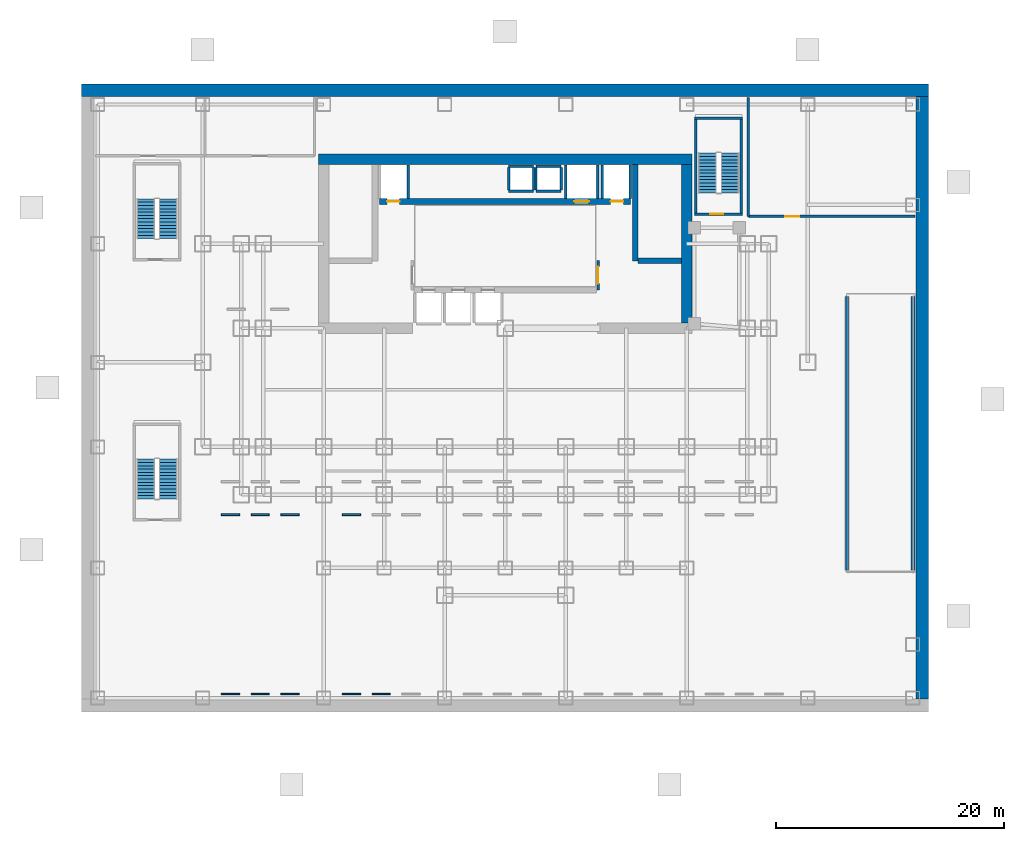
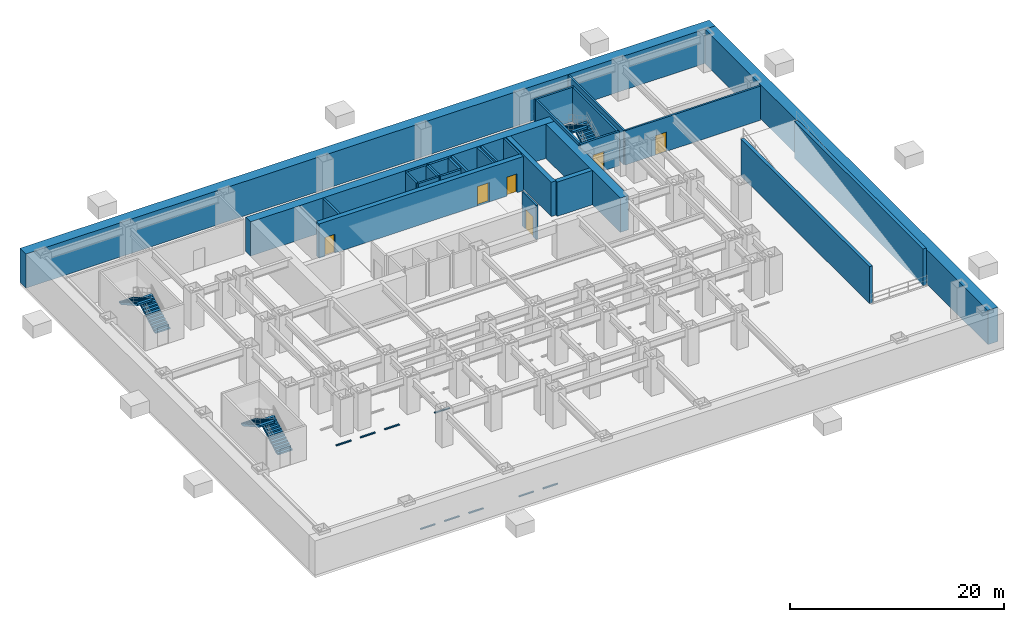
# One storey, part 4 of 7: 29 walls, 9 discrete accessories, 6 doors, 6 stair flights, 6 openings, 3 elements without a shape of their own.
"""IFC4 building model written with IfcOpenShell, lengths in metres."""

from ifc_helpers import new_model, si_unit, direction, frame, frame_2d, origin, origin_2d, place, context, subcontext, project, spatial, polyline, rectangle, outline, extrude, source, transform, mapped, material, layer, layer_set, type_object, element, fill, aggregate, save


model = new_model("IFC4")

# Units and contexts
model_context = context("Model", 3, precision=1e-05, world=origin(), true_north=direction((0.0, 1.0)))
body_context = subcontext(model_context, "Body", "Model", "MODEL_VIEW")
ifc_project = project(units=[si_unit("LENGTHUNIT", "METRE"), si_unit("AREAUNIT", "SQUARE_METRE"), si_unit("VOLUMEUNIT", "CUBIC_METRE"), si_unit("PLANEANGLEUNIT", "RADIAN"), si_unit("MASSUNIT", "GRAM", prefix="KILO")], contexts=[model_context])

# Site, building, storey
site_placement = place(None, origin())
site = spatial("IfcSite", under=ifc_project, at=site_placement, CompositionType="ELEMENT")
building_placement = place(site_placement, origin())
building = spatial("IfcBuilding", under=site, at=building_placement, Name="Qianlan Lanfeng Residences", CompositionType="ELEMENT")
storey_placement = place(building_placement, frame((0.0, 0.0, -4.199951171875)))
storey = spatial("IfcBuildingStorey", under=building, at=storey_placement, Name="B1", CompositionType="ELEMENT", Elevation=-4.199951171875)

# Walls
ifc_material_1 = material(Name="Concrete C49", Category="concrete")
ifc_layer_1 = layer(ifc_material_1, 0.35009765625)
ifc_layer_set_1 = layer_set([ifc_layer_1], Name="Concrete C49")
wall_type_1 = type_object("IfcWallType", Name="CW-RC-350", PredefinedType="SHEAR", material=ifc_layer_set_1)
for number, where, z_axis, x_axis, name in (
    (1, (56.449951171875, 4.0, 0.0), (0.0, 0.0, 1.0), (0.0, 1.0, 0.0), "B1 Vehicle Ramp Structural Bearing Wall W"),
    (2, (62.219970703125, 4.0, 0.0), (0.0, 0.0, 1.0), (0.0, 1.0, 0.0), "B1 Vehicle Ramp Structural Bearing Wall E"),
):
    element("IfcWall", number, at=place(storey_placement, frame(where, z_axis=z_axis, x_axis=x_axis)), inside=storey, type_object=wall_type_1, Name=name, PredefinedType="SHEAR", context=body_context, shape_type="SweptSolid", body=[
        extrude(rectangle(XDim=24.0, YDim=0.35009765625, at=frame_2d((12.0, 0.0))), origin(), (0.0, 0.0, 1.0), 4.199951171875),
    ])
ifc_material_2 = material(Name="Concrete C70", Category="concrete")
ifc_layer_2 = layer(ifc_material_2, 0.5)
ifc_layer_set_2 = layer_set([ifc_layer_2], Name="Concrete C70")
wall_type_2 = type_object("IfcWallType", Name="CW-RC-500", PredefinedType="SHEAR", material=ifc_layer_set_2)
wall_1_placement = place(storey_placement, frame((37.89990234375, 31.10009765625, 0.0), z_axis=(0.0, 0.0, 1.0), x_axis=(0.0, 1.0, 0.0)))
element("IfcWall", 3, at=wall_1_placement, inside=storey, type_object=wall_type_2, Name="B1 Core Shear Wall ST2W", PredefinedType="SHEAR", context=body_context, shape_type="SweptSolid", body=[
    extrude(rectangle(XDim=8.449951171875, YDim=0.5, at=frame_2d((4.22509765625, 0.0))), origin(), (0.0, 0.0, 1.0), 3.89990234375),
])
wall_2_placement = place(storey_placement, frame((38.14990234375, 31.10009765625, 0.0), z_axis=(0.0, 0.0, 1.0), x_axis=(1.0, 0.0, 0.0)))
element("IfcWall", 4, at=wall_2_placement, inside=storey, type_object=wall_type_2, Name="B1 Core Shear Wall ST2S", PredefinedType="SHEAR", context=body_context, shape_type="SweptSolid", body=[
    extrude(rectangle(XDim=3.800048828125, YDim=0.5, at=frame_2d((1.89990234375, 0.0))), origin(), (0.0, 0.0, 1.0), 3.89990234375),
])

# Wall, openings, doors
wall_3_placement = place(storey_placement, frame((15.5, 36.300048828125, 0.0), z_axis=(0.0, 0.0, 1.0), x_axis=(1.0, 0.0, 0.0)))
wall_3 = element("IfcWall", 5, at=wall_3_placement, inside=storey, type_object=wall_type_2, Name="B1 Core Shear Wall LBN", PredefinedType="SHEAR", context=body_context, shape_type="SweptSolid", body=[
    extrude(rectangle(XDim=22.0, YDim=0.5, at=frame_2d((11.0, 0.0))), origin(), (0.0, 0.0, 1.0), 3.89990234375),
])
opening_1_placement = place(wall_3_placement, frame((0.64990234375, 0.0, 0.0)))
opening_1 = element("IfcOpeningElement", 6, at=opening_1_placement, cuts=wall_3, Name="Opening B1-LD-FFL-1", PredefinedType="OPENING", context=body_context, shape_type="SweptSolid", body=[
    extrude(rectangle(XDim=1.10009765625, YDim=2.14990234375, at=frame_2d((0.550048828125, 1.074951171875))), frame((0.0, 0.260009765625, 0.0), z_axis=(0.0, -1.0, 0.0), x_axis=(1.0, 0.0, 0.0)), (0.0, 0.0, 1.0), 0.52001953125),
])
opening_2_placement = place(wall_3_placement, frame((20.25, 0.0, 0.0)))
opening_2 = element("IfcOpeningElement", 7, at=opening_2_placement, cuts=wall_3, Name="Opening B1-LD-FFL-2", PredefinedType="OPENING", context=body_context, shape_type="SweptSolid", body=[
    extrude(rectangle(XDim=1.10009765625, YDim=2.14990234375, at=frame_2d((0.550048828125, 1.074951171875))), frame((0.0, 0.260009765625, 0.0), z_axis=(0.0, -1.0, 0.0), x_axis=(1.0, 0.0, 0.0)), (0.0, 0.0, 1.0), 0.52001953125),
])
opening_3_placement = place(wall_3_placement, frame((17.050048828125, 0.0, 0.0)))
opening_3 = element("IfcOpeningElement", 8, at=opening_3_placement, cuts=wall_3, Name="Opening B1-LD-SVL-1", PredefinedType="OPENING", context=body_context, shape_type="SweptSolid", body=[
    extrude(rectangle(XDim=1.300048828125, YDim=2.199951171875, at=frame_2d((0.64990234375, 1.10009765625))), frame((0.0, 0.260009765625, 0.0), z_axis=(0.0, -1.0, 0.0), x_axis=(1.0, 0.0, 0.0)), (0.0, 0.0, 1.0), 0.52001953125),
])
ifc_material_3 = material(Name="Brushed Stainless Steel Sliding Lift Door", Category="steel")
door_type_1 = type_object("IfcDoorType", Name="LD-01", OperationType="NOTDEFINED", PredefinedType="DOOR", material=ifc_material_3)
door_1_placement = place(opening_1_placement, frame((1.10009765625, 0.0, 0.0), z_axis=(0.0, 0.0, 1.0), x_axis=(-1.0, 0.0, 0.0)))
door_1 = element("IfcDoor", 9, at=door_1_placement, inside=storey, type_object=door_type_1, Name="B1 Elevator FFL-1 Sliding Landing Door", OperationType="DOUBLE_DOOR_SLIDING", OverallHeight=2.14990234375, OverallWidth=1.10009765625, PredefinedType="DOOR", context=body_context, shape_type="SweptSolid", body=[
    extrude(rectangle(XDim=1.10009765625, YDim=2.14990234375, at=frame_2d((0.550048828125, 1.074951171875))), frame((0.0, 0.02490234375, 0.0), z_axis=(0.0, -1.0, 0.0), x_axis=(1.0, 0.0, 0.0)), (0.0, 0.0, 1.0), 0.050048828125),
])
fill(opening_1, door_1)
door_2_placement = place(opening_2_placement, frame((1.10009765625, 0.0, 0.0), z_axis=(0.0, 0.0, 1.0), x_axis=(-1.0, 0.0, 0.0)))
door_2 = element("IfcDoor", 10, at=door_2_placement, inside=storey, type_object=door_type_1, Name="B1 Elevator FFL-2 Sliding Landing Door", OperationType="DOUBLE_DOOR_SLIDING", OverallHeight=2.14990234375, OverallWidth=1.10009765625, PredefinedType="DOOR", context=body_context, shape_type="SweptSolid", body=[
    extrude(rectangle(XDim=1.10009765625, YDim=2.14990234375, at=frame_2d((0.550048828125, 1.074951171875))), frame((0.0, 0.02490234375, 0.0), z_axis=(0.0, -1.0, 0.0), x_axis=(1.0, 0.0, 0.0)), (0.0, 0.0, 1.0), 0.050048828125),
])
fill(opening_2, door_2)
door_type_2 = type_object("IfcDoorType", Name="LD-02", OperationType="NOTDEFINED", PredefinedType="DOOR", material=ifc_material_3)
door_3_placement = place(opening_3_placement, frame((1.300048828125, 0.0, 0.0), z_axis=(0.0, 0.0, 1.0), x_axis=(-1.0, 0.0, 0.0)))
door_3 = element("IfcDoor", 11, at=door_3_placement, inside=storey, type_object=door_type_2, Name="B1 Elevator SVL-1 Sliding Landing Door", OperationType="DOUBLE_DOOR_SLIDING", OverallHeight=2.199951171875, OverallWidth=1.300048828125, PredefinedType="DOOR", context=body_context, shape_type="SweptSolid", body=[
    extrude(rectangle(XDim=1.300048828125, YDim=2.199951171875, at=frame_2d((0.64990234375, 1.10009765625))), frame((0.0, 0.02490234375, 0.0), z_axis=(0.0, -1.0, 0.0), x_axis=(1.0, 0.0, 0.0)), (0.0, 0.0, 1.0), 0.050048828125),
])
fill(opening_3, door_3)

# Walls
ifc_layer_3 = layer(ifc_material_2, 0.89990234375)
ifc_layer_set_3 = layer_set([ifc_layer_3], Name="Concrete C70")
wall_type_3 = type_object("IfcWallType", Name="CW-RC-900", PredefinedType="SHEAR", material=ifc_layer_set_3)
wall_4_placement = place(storey_placement, frame((10.14990234375, 40.0, 0.0), z_axis=(0.0, 0.0, 1.0), x_axis=(1.0, 0.0, 0.0)))
element("IfcWall", 12, at=wall_4_placement, inside=storey, type_object=wall_type_3, Name="B1 Core Shear Wall N", PredefinedType="SHEAR", context=body_context, shape_type="SweptSolid", body=[
    extrude(rectangle(XDim=32.7001953125, YDim=0.89990234375, at=frame_2d((16.35009765625, 0.0))), origin(), (0.0, 0.0, 1.0), 3.89990234375),
])
wall_5_placement = place(storey_placement, frame((42.39990234375, 25.64990234375, 0.0), z_axis=(0.0, 0.0, 1.0), x_axis=(0.0, 1.0, 0.0)))
element("IfcWall", 13, at=wall_5_placement, inside=storey, type_object=wall_type_3, Name="B1 Core Shear Wall E", PredefinedType="SHEAR", context=body_context, shape_type="SweptSolid", body=[
    extrude(rectangle(XDim=13.900146484375, YDim=0.89990234375, at=frame_2d((6.9501953125, 0.0))), origin(), (0.0, 0.0, 1.0), 3.89990234375),
])
ifc_layer_4 = layer(ifc_material_1, 1.10009765625)
ifc_layer_set_4 = layer_set([ifc_layer_4], Name="Concrete C49")
wall_type_4 = type_object("IfcWallType", Name="DW-1100", PredefinedType="USERDEFINED", material=ifc_layer_set_4)
wall_6_placement = place(storey_placement, frame((63.050048828125, -7.300048828125, 0.0), z_axis=(0.0, 0.0, 1.0), x_axis=(0.0, 1.0, 0.0)))
element("IfcWall", 14, at=wall_6_placement, inside=storey, type_object=wall_type_4, Name="B1 Diaphragm Retaining Wall E", ObjectType="RETAININGWALL", PredefinedType="USERDEFINED", context=body_context, shape_type="SweptSolid", body=[
    extrude(rectangle(XDim=52.800048828125, YDim=1.10009765625, at=frame_2d((26.39990234375, 0.0))), origin(), (0.0, 0.0, 1.0), 3.89990234375),
])
wall_7_placement = place(storey_placement, frame((63.60009765625, 46.050048828125, 0.0), z_axis=(0.0, 0.0, 1.0), x_axis=(-1.0, 0.0, 0.0)))
element("IfcWall", 15, at=wall_7_placement, inside=storey, type_object=wall_type_4, Name="B1 Diaphragm Retaining Wall N", ObjectType="RETAININGWALL", PredefinedType="USERDEFINED", context=body_context, shape_type="SweptSolid", body=[
    extrude(rectangle(XDim=74.2001953125, YDim=1.10009765625, at=frame_2d((37.10009765625, 0.0))), origin(), (0.0, 0.0, 1.0), 3.89990234375),
])

# Wall, opening, door
ifc_material_4 = material(Name="Autoclaved Aerated Concrete Blockwork 200 mm", Category="masonry")
ifc_layer_5 = layer(ifc_material_4, 0.199951171875)
ifc_layer_set_5 = layer_set([ifc_layer_5], Name="Autoclaved Aerated Concrete Blockwork 200 mm")
wall_type_5 = type_object("IfcWallType", Name="PW-200", PredefinedType="PARTITIONING", material=ifc_layer_set_5)
wall_8_placement = place(storey_placement, frame((34.64990234375, 28.550048828125, 0.0), z_axis=(0.0, 0.0, 1.0), x_axis=(0.0, 1.0, 0.0)))
wall_8 = element("IfcWall", 16, at=wall_8_placement, inside=storey, type_object=wall_type_5, Name="B1 Lift Lobby East Connector Wall", PredefinedType="PARTITIONING", context=body_context, shape_type="SweptSolid", body=[
    extrude(rectangle(XDim=2.599853515625, YDim=0.199951171875, at=frame_2d((1.2998046875, 0.0))), origin(), (0.0, 0.0, 1.0), 3.89990234375),
])
opening_4_placement = place(wall_8_placement, frame((0.550048828125, 0.0, 0.0)))
opening_4 = element("IfcOpeningElement", 17, at=opening_4_placement, cuts=wall_8, Name="Opening B1-D05", PredefinedType="OPENING", context=body_context, shape_type="SweptSolid", body=[
    extrude(rectangle(XDim=1.5, YDim=2.25, at=frame_2d((0.75, 1.125))), frame((0.0, 0.10986328125, 0.0), z_axis=(0.0, -1.0, 0.0), x_axis=(1.0, 0.0, 0.0)), (0.0, 0.0, 1.0), 0.219970703125),
])
ifc_material_5 = material(Name="Timber Veneer Acoustic Fire Door", Category="wood")
door_type_3 = type_object("IfcDoorType", Name="DT-COR1", OperationType="NOTDEFINED", PredefinedType="DOOR", material=ifc_material_5)
door_4_placement = place(opening_4_placement, frame((1.5, 0.0, 0.0), z_axis=(0.0, 0.0, 1.0), x_axis=(-1.0, 0.0, 0.0)))
door_4 = element("IfcDoor", 18, at=door_4_placement, inside=storey, type_object=door_type_3, Name="B1 Lift Lobby East Portal Door B1-D05 (DT-COR1)", OperationType="DOUBLE_DOOR_SINGLE_SWING", OverallHeight=2.25, OverallWidth=1.5, PredefinedType="DOOR", context=body_context, shape_type="SweptSolid", body=[
    extrude(rectangle(XDim=1.5, YDim=2.25, at=frame_2d((0.75, 1.125))), frame((0.0, 0.02490234375, 0.0), z_axis=(0.0, -1.0, 0.0), x_axis=(1.0, 0.0, 0.0)), (0.0, 0.0, 1.0), 0.050048828125),
])
fill(opening_4, door_4)

# Wall
wall_9_placement = place(storey_placement, frame((47.800048828125, 35.0, 0.0), z_axis=(0.0, 0.0, 1.0), x_axis=(0.0, 1.0, 0.0)))
element("IfcWall", 19, at=wall_9_placement, inside=storey, type_object=wall_type_5, Name="B1 Storage West Wall", PredefinedType="PARTITIONING", context=body_context, shape_type="SweptSolid", body=[
    extrude(rectangle(XDim=10.39990234375, YDim=0.199951171875, at=frame_2d((5.199951171875, 0.0))), origin(), (0.0, 0.0, 1.0), 3.89990234375),
])

# Wall, opening, door
wall_10_placement = place(storey_placement, frame((47.800048828125, 35.0, 0.0), z_axis=(0.0, 0.0, 1.0), x_axis=(1.0, 0.0, 0.0)))
wall_10 = element("IfcWall", 20, at=wall_10_placement, inside=storey, type_object=wall_type_5, Name="B1 Storage South Wall", PredefinedType="PARTITIONING", context=body_context, shape_type="SweptSolid", body=[
    extrude(rectangle(XDim=14.599853515625, YDim=0.199951171875, at=frame_2d((7.2998046875, 0.0))), origin(), (0.0, 0.0, 1.0), 3.89990234375),
])
opening_5_placement = place(wall_10_placement, frame((3.25, 0.0, 0.0)))
opening_5 = element("IfcOpeningElement", 21, at=opening_5_placement, cuts=wall_10, Name="Opening B1-D08", PredefinedType="OPENING", context=body_context, shape_type="SweptSolid", body=[
    extrude(rectangle(XDim=1.199951171875, YDim=2.199951171875, at=frame_2d((0.60009765625, 1.10009765625))), frame((0.0, 0.10986328125, 0.0), z_axis=(0.0, -1.0, 0.0), x_axis=(1.0, 0.0, 0.0)), (0.0, 0.0, 1.0), 0.219970703125),
])
ifc_material_6 = material(Name="Painted Galvanised Steel Plant Door", Category="steel")
door_type_4 = type_object("IfcDoorType", Name="DT-PLT", OperationType="NOTDEFINED", PredefinedType="DOOR", material=ifc_material_6)
door_5_placement = place(opening_5_placement, origin())
door_5 = element("IfcDoor", 22, at=door_5_placement, inside=storey, type_object=door_type_4, Name="B1 Resident Storage Room Door B1-D08 (DT-PLT)", OperationType="SINGLE_SWING_RIGHT", OverallHeight=2.199951171875, OverallWidth=1.199951171875, PredefinedType="DOOR", context=body_context, shape_type="SweptSolid", body=[
    extrude(rectangle(XDim=1.199951171875, YDim=2.199951171875, at=frame_2d((0.60009765625, 1.10009765625))), frame((0.0, 0.02490234375, 0.0), z_axis=(0.0, -1.0, 0.0), x_axis=(1.0, 0.0, 0.0)), (0.0, 0.0, 1.0), 0.050048828125),
])
fill(opening_5, door_5)

# Walls
ifc_layer_6 = layer(ifc_material_1, 0.219970703125)
ifc_layer_set_6 = layer_set([ifc_layer_6], Name="Concrete C49")
wall_type_6 = type_object("IfcWallType", Name="SHW-220", PredefinedType="SOLIDWALL", material=ifc_layer_set_6)
for number, where, z_axis, x_axis, name in (
    (23, (18.0, 36.550048828125, 0.0), (0.0, 0.0, 1.0), (0.0, 1.0, 0.0), "B1 Lift FFL-1 Shaft Wall E"),
    (24, (35.0, 36.550048828125, 0.0), (0.0, 0.0, 1.0), (0.0, 1.0, 0.0), "B1 Lift FFL-2 Shaft Wall W"),
    (25, (37.47998046875, 36.550048828125, 0.0), (0.0, 0.0, 1.0), (0.0, 1.0, 0.0), "B1 Lift FFL-2 Shaft Wall E"),
    (26, (31.800048828125, 36.550048828125, 0.0), (0.0, 0.0, 1.0), (0.0, 1.0, 0.0), "B1 Lift SVL-1 Shaft Wall W"),
    (27, (34.60009765625, 36.550048828125, 0.0), (0.0, 0.0, 1.0), (0.0, 1.0, 0.0), "B1 Lift SVL-1 Shaft Wall E"),
):
    element("IfcWall", number, at=place(storey_placement, frame(where, z_axis=z_axis, x_axis=x_axis)), inside=storey, type_object=wall_type_6, Name=name, PredefinedType="SOLIDWALL", context=body_context, shape_type="SweptSolid", body=[
        extrude(rectangle(XDim=2.929931640625, YDim=0.219970703125, at=frame_2d((1.46484375, 0.0))), origin(), (0.0, 0.0, 1.0), 3.89990234375),
    ])
for number, where, z_axis, x_axis, name in (
    (28, (26.800048828125, 37.31005859375, 0.0), (0.0, 0.0, 1.0), (0.0, 1.0, 0.0), "B1 MEP Riser MEP-R1 Shaft Wall W"),
    (29, (29.0, 37.31005859375, 0.0), (0.0, 0.0, 1.0), (0.0, 1.0, 0.0), "B1 MEP Riser MEP-R1 Shaft Wall E"),
):
    element("IfcWall", number, at=place(storey_placement, frame(where, z_axis=z_axis, x_axis=x_axis)), inside=storey, type_object=wall_type_6, Name=name, PredefinedType="SOLIDWALL", context=body_context, shape_type="SweptSolid", body=[
        extrude(rectangle(XDim=1.97998046875, YDim=0.219970703125, at=frame_2d((0.989990234375, 0.0))), origin(), (0.0, 0.0, 1.0), 3.89990234375),
    ])
for number, where, z_axis, x_axis, name in (
    (30, (26.800048828125, 39.39990234375, 0.0), (0.0, 0.0, 1.0), (1.0, 0.0, 0.0), "B1 MEP Riser MEP-R1 Shaft Wall N"),
    (31, (26.800048828125, 37.199951171875, 0.0), (0.0, 0.0, 1.0), (1.0, 0.0, 0.0), "B1 MEP Riser MEP-R1 Shaft Wall S"),
):
    element("IfcWall", number, at=place(storey_placement, frame(where, z_axis=z_axis, x_axis=x_axis)), inside=storey, type_object=wall_type_6, Name=name, PredefinedType="SOLIDWALL", context=body_context, shape_type="SweptSolid", body=[
        extrude(rectangle(XDim=2.199951171875, YDim=0.219970703125, at=frame_2d((1.10009765625, 0.0))), origin(), (0.0, 0.0, 1.0), 3.89990234375),
    ])
for number, where, z_axis, x_axis, name in (
    (32, (29.199951171875, 37.31005859375, 0.0), (0.0, 0.0, 1.0), (0.0, 1.0, 0.0), "B1 MEP Riser MEP-R2 Shaft Wall W"),
    (33, (31.39990234375, 37.31005859375, 0.0), (0.0, 0.0, 1.0), (0.0, 1.0, 0.0), "B1 MEP Riser MEP-R2 Shaft Wall E"),
):
    element("IfcWall", number, at=place(storey_placement, frame(where, z_axis=z_axis, x_axis=x_axis)), inside=storey, type_object=wall_type_6, Name=name, PredefinedType="SOLIDWALL", context=body_context, shape_type="SweptSolid", body=[
        extrude(rectangle(XDim=1.97998046875, YDim=0.219970703125, at=frame_2d((0.989990234375, 0.0))), origin(), (0.0, 0.0, 1.0), 3.89990234375),
    ])
for number, where, z_axis, x_axis, name in (
    (34, (29.199951171875, 39.39990234375, 0.0), (0.0, 0.0, 1.0), (1.0, 0.0, 0.0), "B1 MEP Riser MEP-R2 Shaft Wall N"),
    (35, (29.199951171875, 37.199951171875, 0.0), (0.0, 0.0, 1.0), (1.0, 0.0, 0.0), "B1 MEP Riser MEP-R2 Shaft Wall S"),
):
    element("IfcWall", number, at=place(storey_placement, frame(where, z_axis=z_axis, x_axis=x_axis)), inside=storey, type_object=wall_type_6, Name=name, PredefinedType="SOLIDWALL", context=body_context, shape_type="SweptSolid", body=[
        extrude(rectangle(XDim=2.199951171875, YDim=0.219970703125, at=frame_2d((1.10009765625, 0.0))), origin(), (0.0, 0.0, 1.0), 3.89990234375),
    ])
ifc_layer_7 = layer(ifc_material_1, 0.219970703125)
ifc_layer_set_7 = layer_set([ifc_layer_7], Name="Concrete C49")
wall_type_7 = type_object("IfcWallType", Name="STW-RC-220", PredefinedType="SHEAR", material=ifc_layer_set_7)
wall_11_placement = place(storey_placement, frame((43.090087890625, 43.60009765625, 0.0), z_axis=(0.0, 0.0, 1.0), x_axis=(1.0, 0.0, 0.0)))
element("IfcWall", 36, at=wall_11_placement, inside=storey, type_object=wall_type_7, Name="B1 Stair ST-B2 Enclosure Wall N", PredefinedType="SHEAR", context=body_context, shape_type="SweptSolid", body=[
    extrude(rectangle(XDim=4.219970703125, YDim=0.219970703125, at=frame_2d((2.10986328125, 0.0))), origin(), (0.0, 0.0, 1.0), 3.89990234375),
])
for number, where, z_axis, x_axis, name in (
    (37, (43.199951171875, 35.31005859375, 0.0), (0.0, 0.0, 1.0), (0.0, 1.0, 0.0), "B1 Stair ST-B2 Enclosure Wall W"),
    (38, (47.199951171875, 35.31005859375, 0.0), (0.0, 0.0, 1.0), (0.0, 1.0, 0.0), "B1 Stair ST-B2 Enclosure Wall E"),
):
    element("IfcWall", number, at=place(storey_placement, frame(where, z_axis=z_axis, x_axis=x_axis)), inside=storey, type_object=wall_type_7, Name=name, PredefinedType="SHEAR", context=body_context, shape_type="SweptSolid", body=[
        extrude(rectangle(XDim=8.179931640625, YDim=0.219970703125, at=frame_2d((4.08984375, 0.0))), origin(), (0.0, 0.0, 1.0), 3.89990234375),
    ])

# Wall, opening, door
wall_12_placement = place(storey_placement, frame((43.090087890625, 35.199951171875, 0.0), z_axis=(0.0, 0.0, 1.0), x_axis=(1.0, 0.0, 0.0)))
wall_12 = element("IfcWall", 39, at=wall_12_placement, inside=storey, type_object=wall_type_7, Name="B1 Stair ST-B2 Enclosure Wall S", PredefinedType="SHEAR", context=body_context, shape_type="SweptSolid", body=[
    extrude(rectangle(XDim=4.219970703125, YDim=0.219970703125, at=frame_2d((2.10986328125, 0.0))), origin(), (0.0, 0.0, 1.0), 3.89990234375),
])
opening_6_placement = place(wall_12_placement, frame((1.375, 0.0, 0.0)))
opening_6 = element("IfcOpeningElement", 40, at=opening_6_placement, cuts=wall_12, Name="Opening B1-D02", PredefinedType="OPENING", context=body_context, shape_type="SweptSolid", body=[
    extrude(rectangle(XDim=1.14990234375, YDim=2.199951171875, at=frame_2d((0.574951171875, 1.10009765625))), frame((0.0, 0.1201171875, 0.0), z_axis=(0.0, -1.0, 0.0), x_axis=(1.0, 0.0, 0.0)), (0.0, 0.0, 1.0), 0.239990234375),
])
ifc_material_7 = material(Name="Painted Galvanised Steel Fire Door", Category="steel")
door_type_5 = type_object("IfcDoorType", Name="DT-ST1", OperationType="NOTDEFINED", PredefinedType="DOOR", material=ifc_material_7)
door_6_placement = place(opening_6_placement, origin())
door_6 = element("IfcDoor", 41, at=door_6_placement, inside=storey, type_object=door_type_5, Name="B1 Exit Stair ST-B2 Door B1-D02 (DT-ST1)", OperationType="SINGLE_SWING_RIGHT", OverallHeight=2.199951171875, OverallWidth=1.14990234375, PredefinedType="DOOR", context=body_context, shape_type="SweptSolid", body=[
    extrude(rectangle(XDim=1.14990234375, YDim=2.199951171875, at=frame_2d((0.574951171875, 1.10009765625))), frame((0.0, 0.02490234375, 0.0), z_axis=(0.0, -1.0, 0.0), x_axis=(1.0, 0.0, 0.0)), (0.0, 0.0, 1.0), 0.050048828125),
])
fill(opening_6, door_6)

# Stair, stair flights
ifc_material_8 = material(Name="Concrete C42", Category="concrete")
stair_type = type_object("IfcStairType", Name="STR-POD", PredefinedType="HALF_TURN_STAIR", material=ifc_material_8)
stair_1_placement = place(storey_placement, origin())
stair_1 = element("IfcStair", 42, at=stair_1_placement, inside=storey, type_object=stair_type, Name="B1 Exit Stair ST-B1", PredefinedType="HALF_TURN_STAIR")
stair_flight_type = type_object("IfcStairFlightType", Name="FLT-1650", PredefinedType="STRAIGHT", material=ifc_material_8)
stair_flight_1_placement = place(storey_placement, frame((-3.02001953125, 33.050048828125, 0.0), z_axis=(0.0, 0.0, 1.0), x_axis=(0.0, 1.0, 0.0)))
stair_flight_1 = element("IfcStairFlight", 43, at=stair_flight_1_placement, type_object=stair_flight_type, Name="ST-B1 flight 1", NumberOfRisers=13, NumberOfTreads=12, PredefinedType="STRAIGHT", RiserHeight=0.161538462, TreadLength=0.29, context=body_context, shape_type="SweptSolid", body=[
    extrude(outline(polyline([(0.0, 0.0), (0.0, 0.16162109375), (0.2900390625, 0.16162109375), (0.2900390625, 0.322998046875), (0.580078125, 0.322998046875), (0.580078125, 0.484619140625), (0.8701171875, 0.484619140625), (0.8701171875, 0.646240234375), (1.159912109375, 0.646240234375), (1.159912109375, 0.8076171875), (1.449951171875, 0.8076171875), (1.449951171875, 0.96923828125), (1.739990234375, 0.96923828125), (1.739990234375, 1.130859375), (2.030029296875, 1.130859375), (2.030029296875, 1.292236328125), (2.320068359375, 1.292236328125), (2.320068359375, 1.453857421875), (2.610107421875, 1.453857421875), (2.610107421875, 1.615478515625), (2.89990234375, 1.615478515625), (2.89990234375, 1.77685546875), (3.18994140625, 1.77685546875), (3.18994140625, 1.9384765625), (3.47998046875, 1.9384765625), (3.47998046875, 2.10009765625), (3.47998046875, 1.732421875), (0.369873046875, 0.0), (0.0, 0.0)])), frame((0.0, 0.7900390625, 0.0), z_axis=(0.0, -1.0, 0.0), x_axis=(1.0, 0.0, 0.0)), (0.0, 0.0, 1.0), 1.580078125),
])
stair_flight_2_placement = place(storey_placement, frame((-4.97998046875, 36.530029296875, 2.099853515625), z_axis=(0.0, 0.0, 1.0), x_axis=(0.0, -1.0, 0.0)))
stair_flight_2 = element("IfcStairFlight", 44, at=stair_flight_2_placement, type_object=stair_flight_type, Name="ST-B1 flight 2", NumberOfRisers=13, NumberOfTreads=12, PredefinedType="STRAIGHT", RiserHeight=0.161538462, TreadLength=0.29, context=body_context, shape_type="SweptSolid", body=[
    extrude(outline(polyline([(0.0, 0.0), (0.0, 0.16162109375), (0.2900390625, 0.16162109375), (0.2900390625, 0.322998046875), (0.580078125, 0.322998046875), (0.580078125, 0.484619140625), (0.8701171875, 0.484619140625), (0.8701171875, 0.646240234375), (1.159912109375, 0.646240234375), (1.159912109375, 0.8076171875), (1.449951171875, 0.8076171875), (1.449951171875, 0.96923828125), (1.739990234375, 0.96923828125), (1.739990234375, 1.130859375), (2.030029296875, 1.130859375), (2.030029296875, 1.292236328125), (2.320068359375, 1.292236328125), (2.320068359375, 1.453857421875), (2.610107421875, 1.453857421875), (2.610107421875, 1.615478515625), (2.89990234375, 1.615478515625), (2.89990234375, 1.77685546875), (3.18994140625, 1.77685546875), (3.18994140625, 1.9384765625), (3.47998046875, 1.9384765625), (3.47998046875, 2.10009765625), (3.47998046875, 1.732421875), (0.369873046875, 0.0), (0.0, 0.0)])), frame((0.0, 0.7900390625, 0.0), z_axis=(0.0, -1.0, 0.0), x_axis=(1.0, 0.0, 0.0)), (0.0, 0.0, 1.0), 1.580078125),
])
aggregate(stair_1, [stair_flight_1, stair_flight_2])

stair_2_placement = place(storey_placement, origin())
stair_2 = element("IfcStair", 45, at=stair_2_placement, inside=storey, type_object=stair_type, Name="B1 Exit Stair ST-B2", PredefinedType="HALF_TURN_STAIR")
stair_flight_3_placement = place(storey_placement, frame((46.179931640625, 37.050048828125, 0.0), z_axis=(0.0, 0.0, 1.0), x_axis=(0.0, 1.0, 0.0)))
stair_flight_3 = element("IfcStairFlight", 46, at=stair_flight_3_placement, type_object=stair_flight_type, Name="ST-B2 flight 1", NumberOfRisers=13, NumberOfTreads=12, PredefinedType="STRAIGHT", RiserHeight=0.161538462, TreadLength=0.29, context=body_context, shape_type="SweptSolid", body=[
    extrude(outline(polyline([(0.0, 0.0), (0.0, 0.16162109375), (0.2900390625, 0.16162109375), (0.2900390625, 0.322998046875), (0.580078125, 0.322998046875), (0.580078125, 0.484619140625), (0.8701171875, 0.484619140625), (0.8701171875, 0.646240234375), (1.159912109375, 0.646240234375), (1.159912109375, 0.8076171875), (1.449951171875, 0.8076171875), (1.449951171875, 0.96923828125), (1.739990234375, 0.96923828125), (1.739990234375, 1.130859375), (2.030029296875, 1.130859375), (2.030029296875, 1.292236328125), (2.320068359375, 1.292236328125), (2.320068359375, 1.453857421875), (2.610107421875, 1.453857421875), (2.610107421875, 1.615478515625), (2.89990234375, 1.615478515625), (2.89990234375, 1.77685546875), (3.18994140625, 1.77685546875), (3.18994140625, 1.9384765625), (3.47998046875, 1.9384765625), (3.47998046875, 2.10009765625), (3.47998046875, 1.732421875), (0.369873046875, 0.0), (0.0, 0.0)])), frame((0.0, 0.7900390625, 0.0), z_axis=(0.0, -1.0, 0.0), x_axis=(1.0, 0.0, 0.0)), (0.0, 0.0, 1.0), 1.580078125),
])
stair_flight_4_placement = place(storey_placement, frame((44.219970703125, 40.530029296875, 2.099853515625), z_axis=(0.0, 0.0, 1.0), x_axis=(0.0, -1.0, 0.0)))
stair_flight_4 = element("IfcStairFlight", 47, at=stair_flight_4_placement, type_object=stair_flight_type, Name="ST-B2 flight 2", NumberOfRisers=13, NumberOfTreads=12, PredefinedType="STRAIGHT", RiserHeight=0.161538462, TreadLength=0.29, context=body_context, shape_type="SweptSolid", body=[
    extrude(outline(polyline([(0.0, 0.0), (0.0, 0.16162109375), (0.2900390625, 0.16162109375), (0.2900390625, 0.322998046875), (0.580078125, 0.322998046875), (0.580078125, 0.484619140625), (0.8701171875, 0.484619140625), (0.8701171875, 0.646240234375), (1.159912109375, 0.646240234375), (1.159912109375, 0.8076171875), (1.449951171875, 0.8076171875), (1.449951171875, 0.96923828125), (1.739990234375, 0.96923828125), (1.739990234375, 1.130859375), (2.030029296875, 1.130859375), (2.030029296875, 1.292236328125), (2.320068359375, 1.292236328125), (2.320068359375, 1.453857421875), (2.610107421875, 1.453857421875), (2.610107421875, 1.615478515625), (2.89990234375, 1.615478515625), (2.89990234375, 1.77685546875), (3.18994140625, 1.77685546875), (3.18994140625, 1.9384765625), (3.47998046875, 1.9384765625), (3.47998046875, 2.10009765625), (3.47998046875, 1.732421875), (0.369873046875, 0.0), (0.0, 0.0)])), frame((0.0, 0.7900390625, 0.0), z_axis=(0.0, -1.0, 0.0), x_axis=(1.0, 0.0, 0.0)), (0.0, 0.0, 1.0), 1.580078125),
])
aggregate(stair_2, [stair_flight_3, stair_flight_4])

stair_3_placement = place(storey_placement, origin())
stair_3 = element("IfcStair", 48, at=stair_3_placement, inside=storey, type_object=stair_type, Name="B1 Exit Stair ST-BP1", PredefinedType="HALF_TURN_STAIR")
stair_flight_5_placement = place(storey_placement, frame((-3.02001953125, 10.25, 0.0), z_axis=(0.0, 0.0, 1.0), x_axis=(0.0, 1.0, 0.0)))
stair_flight_5 = element("IfcStairFlight", 49, at=stair_flight_5_placement, type_object=stair_flight_type, Name="ST-BP1 flight 1", NumberOfRisers=13, NumberOfTreads=12, PredefinedType="STRAIGHT", RiserHeight=0.161538462, TreadLength=0.29, context=body_context, shape_type="SweptSolid", body=[
    extrude(outline(polyline([(0.0, 0.0), (0.0, 0.16162109375), (0.2900390625, 0.16162109375), (0.2900390625, 0.322998046875), (0.580078125, 0.322998046875), (0.580078125, 0.484619140625), (0.8701171875, 0.484619140625), (0.8701171875, 0.646240234375), (1.159912109375, 0.646240234375), (1.159912109375, 0.8076171875), (1.449951171875, 0.8076171875), (1.449951171875, 0.96923828125), (1.739990234375, 0.96923828125), (1.739990234375, 1.130859375), (2.030029296875, 1.130859375), (2.030029296875, 1.292236328125), (2.320068359375, 1.292236328125), (2.320068359375, 1.453857421875), (2.610107421875, 1.453857421875), (2.610107421875, 1.615478515625), (2.89990234375, 1.615478515625), (2.89990234375, 1.77685546875), (3.18994140625, 1.77685546875), (3.18994140625, 1.9384765625), (3.47998046875, 1.9384765625), (3.47998046875, 2.10009765625), (3.47998046875, 1.732421875), (0.369873046875, 0.0), (0.0, 0.0)])), frame((0.0, 0.7900390625, 0.0), z_axis=(0.0, -1.0, 0.0), x_axis=(1.0, 0.0, 0.0)), (0.0, 0.0, 1.0), 1.580078125),
])
stair_flight_6_placement = place(storey_placement, frame((-4.97998046875, 13.72998046875, 2.099853515625), z_axis=(0.0, 0.0, 1.0), x_axis=(0.0, -1.0, 0.0)))
stair_flight_6 = element("IfcStairFlight", 50, at=stair_flight_6_placement, type_object=stair_flight_type, Name="ST-BP1 flight 2", NumberOfRisers=13, NumberOfTreads=12, PredefinedType="STRAIGHT", RiserHeight=0.161538462, TreadLength=0.29, context=body_context, shape_type="SweptSolid", body=[
    extrude(outline(polyline([(0.0, 0.0), (0.0, 0.16162109375), (0.2900390625, 0.16162109375), (0.2900390625, 0.322998046875), (0.580078125, 0.322998046875), (0.580078125, 0.484619140625), (0.8701171875, 0.484619140625), (0.8701171875, 0.646240234375), (1.159912109375, 0.646240234375), (1.159912109375, 0.8076171875), (1.449951171875, 0.8076171875), (1.449951171875, 0.96923828125), (1.739990234375, 0.96923828125), (1.739990234375, 1.130859375), (2.030029296875, 1.130859375), (2.030029296875, 1.292236328125), (2.320068359375, 1.292236328125), (2.320068359375, 1.453857421875), (2.610107421875, 1.453857421875), (2.610107421875, 1.615478515625), (2.89990234375, 1.615478515625), (2.89990234375, 1.77685546875), (3.18994140625, 1.77685546875), (3.18994140625, 1.9384765625), (3.47998046875, 1.9384765625), (3.47998046875, 2.10009765625), (3.47998046875, 1.732421875), (0.369873046875, 0.0), (0.0, 0.0)])), frame((0.0, 0.7900390625, 0.0), z_axis=(0.0, -1.0, 0.0), x_axis=(1.0, 0.0, 0.0)), (0.0, 0.0, 1.0), 1.580078125),
])
aggregate(stair_3, [stair_flight_5, stair_flight_6])

# Discrete accessories
ifc_material_9 = material(Name="Vulcanised Recycled Rubber Wheel Stop")
discrete_accessory_type = type_object("IfcDiscreteAccessoryType", Name="PK-WS-1600", PredefinedType="USERDEFINED", material=ifc_material_9)
shared_shape = source(origin(), body_context, "Body", "SweptSolid", [
    extrude(rectangle(XDim=1.60009765625, YDim=0.159912109375, at=origin_2d()), origin(), (0.0, 0.0, 1.0), 0.1201171875),
])
for number, where, z_axis, x_axis, name in (
    (51, (2.449951171875, -6.85009765625, -0.005126953125), (0.0, 0.0, 1.0), (1.0, 0.0, 0.0), "B1 Parking Bay Wheel Stop PK-001"),
    (52, (5.050048828125, -6.85009765625, -0.005126953125), (0.0, 0.0, 1.0), (1.0, 0.0, 0.0), "B1 Parking Bay Wheel Stop PK-002"),
    (53, (7.64990234375, -6.85009765625, -0.005126953125), (0.0, 0.0, 1.0), (1.0, 0.0, 0.0), "B1 Parking Bay Wheel Stop PK-003"),
    (54, (13.050048828125, -6.85009765625, -0.005126953125), (0.0, 0.0, 1.0), (1.0, 0.0, 0.0), "B1 Parking Bay Wheel Stop PK-004"),
    (55, (15.64990234375, -6.85009765625, -0.005126953125), (0.0, 0.0, 1.0), (1.0, 0.0, 0.0), "B1 Parking Bay Wheel Stop PK-005"),
    (56, (2.449951171875, 8.85009765625, -0.005126953125), (0.0, 0.0, 1.0), (1.0, 0.0, 0.0), "B1 Parking Bay Wheel Stop PK-016"),
    (57, (5.050048828125, 8.85009765625, -0.005126953125), (0.0, 0.0, 1.0), (1.0, 0.0, 0.0), "B1 Parking Bay Wheel Stop PK-017"),
    (58, (7.64990234375, 8.85009765625, -0.005126953125), (0.0, 0.0, 1.0), (1.0, 0.0, 0.0), "B1 Parking Bay Wheel Stop PK-018"),
    (59, (13.050048828125, 8.85009765625, -0.005126953125), (0.0, 0.0, 1.0), (1.0, 0.0, 0.0), "B1 Parking Bay Wheel Stop PK-019"),
):
    element("IfcDiscreteAccessory", number, at=place(storey_placement, frame(where, z_axis=z_axis, x_axis=x_axis)), inside=storey, type_object=discrete_accessory_type, Name=name, ObjectType="WHEEL_STOP", PredefinedType="USERDEFINED", context=body_context, shape_type="MappedRepresentation", body=[
        mapped(shared_shape, transform((0.0, 0.0, 0.0), scale=1.0)),
    ])

save(model, "model.ifc")
